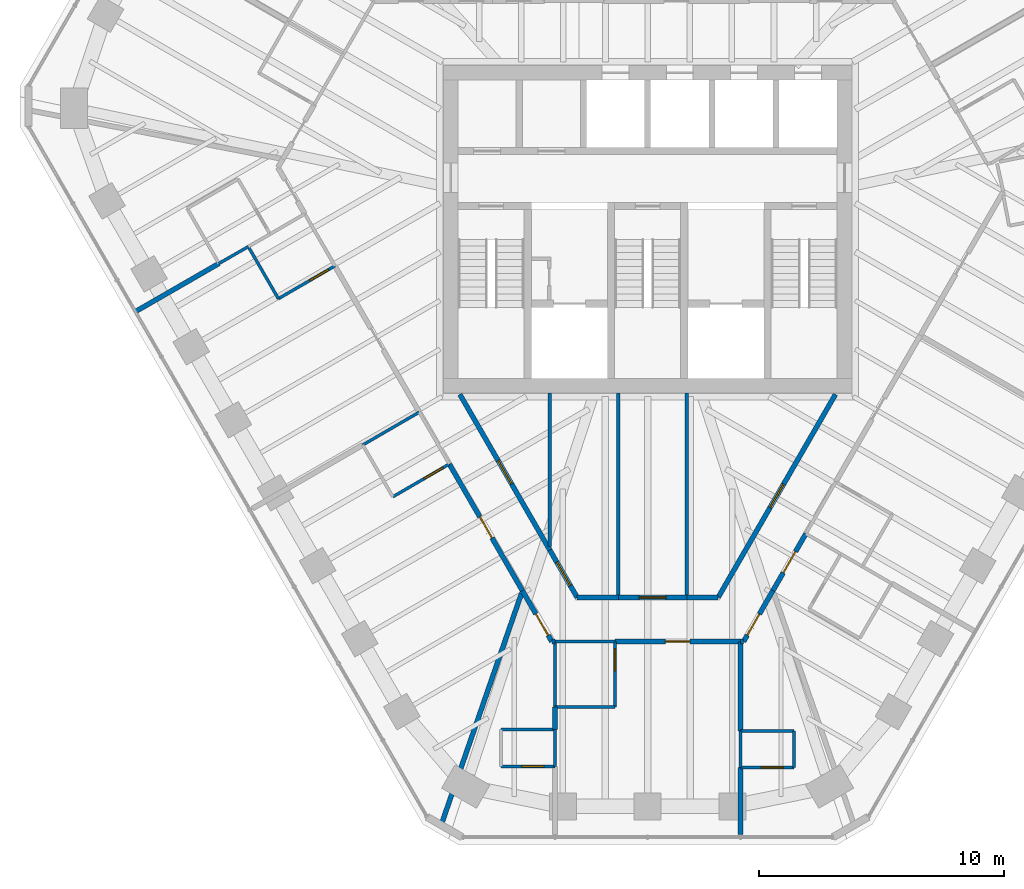
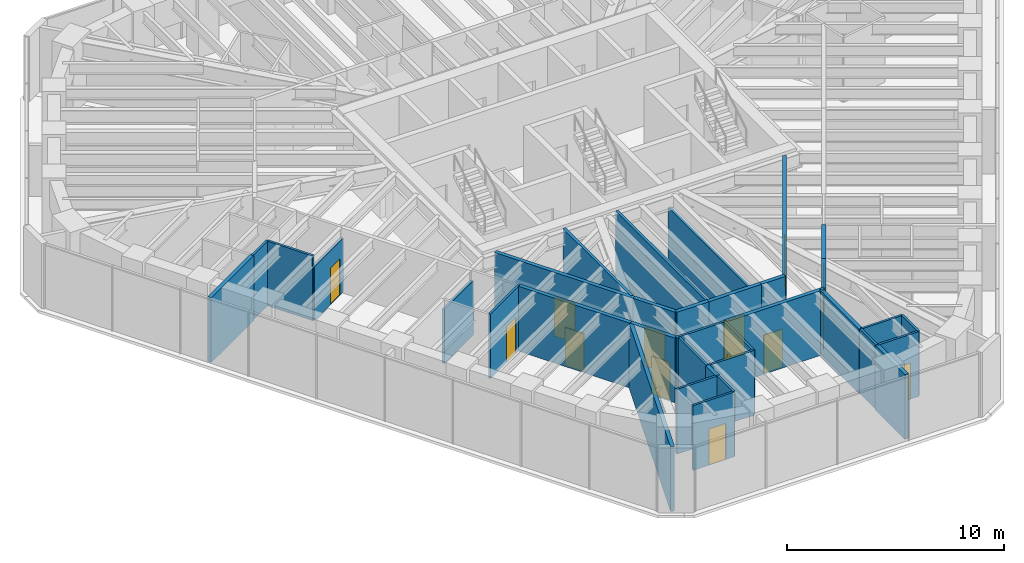
# One storey, part 9 of 14: 37 walls, 14 doors, 14 openings.
"""IFC4 building model written with IfcOpenShell, lengths in metres."""

import ifcopenshell
import ifcopenshell.guid

model = None  # the IFC model being written
_history = None  # IfcOwnerHistory: only IFC2X3 demands one
_inside = {}  # id of a spatial element -> (the spatial element, [elements in it])
_under = {}  # id of a project, library or spatial element -> (it, [spatial elements below it])
_declared = {}  # id of a project -> (the project, [libraries it declares])
_typed = {}  # id of a type object -> (the type object, [elements of that type])
_made_of = {}  # id of a material, layer set ... -> (it, [elements and type objects made of it])


def new_model(schema):
    """Start an empty IFC model of exactly this schema.

    Asked for "IFC4X3", IfcOpenShell would pick the latest addendum, in which some entities
    have other attributes; the version numbers below select the first issue.
    IFC2X3 requires an IfcOwnerHistory on every rooted entity: one is made here for all.
    """
    global model, _history
    if schema == "IFC4X3":
        model = ifcopenshell.file(schema_version=(4, 3, 0, 0))
    else:
        model = ifcopenshell.file(schema=schema)
    _inside.clear()
    _under.clear()
    _declared.clear()
    _typed.clear()
    _made_of.clear()
    _history = None
    if model.schema == "IFC2X3":
        org = make("IfcOrganization", Name="unknown")
        user = make(
            "IfcPersonAndOrganization",
            ThePerson=make("IfcPerson", FamilyName="unknown"),
            TheOrganization=org,
        )
        app = make(
            "IfcApplication",
            ApplicationDeveloper=org,
            Version="unknown",
            ApplicationFullName="unknown",
            ApplicationIdentifier="unknown",
        )
        _history = make(
            "IfcOwnerHistory",
            OwningUser=user,
            OwningApplication=app,
            ChangeAction="ADDED",
            CreationDate=0,
        )
    return model


def make(cls, **values):
    """One entity of the class cls with the attributes given. An attribute that is None is left unset."""
    return model.create_entity(
        cls, **{name: value for name, value in values.items() if value is not None}
    )


def rooted(cls, **values):
    """An entity with a GlobalId (a new one), such as an element, a storey or a relation."""
    return make(cls, GlobalId=ifcopenshell.guid.new(), OwnerHistory=_history, **values)


def si_unit(unit_type, name, prefix=None):
    """IfcSIUnit, for example si_unit("LENGTHUNIT", "METRE", prefix="MILLI")."""
    return make("IfcSIUnit", UnitType=unit_type, Prefix=prefix, Name=name)


def assignment(units):
    """IfcUnitAssignment: the units of a project."""
    return None if units is None else make("IfcUnitAssignment", Units=units)


def point(xyz):
    """IfcCartesianPoint."""
    return None if xyz is None else make("IfcCartesianPoint", Coordinates=xyz)


def direction(xyz):
    """IfcDirection."""
    return None if xyz is None else make("IfcDirection", DirectionRatios=xyz)


def frame(location, z_axis=None, x_axis=None):
    """IfcAxis2Placement3D, a coordinate frame: its origin and axes. An axis left out is left unset."""
    return make(
        "IfcAxis2Placement3D",
        Location=point(location),
        Axis=direction(z_axis),
        RefDirection=direction(x_axis),
    )


def frame_2d(location, x_axis=None):
    """IfcAxis2Placement2D, a coordinate frame in the plane: its origin and x axis."""
    return make(
        "IfcAxis2Placement2D", Location=point(location), RefDirection=direction(x_axis)
    )


def origin():
    """The frame at (0, 0, 0) with its axes left unset."""
    return frame((0.0, 0.0, 0.0))


def place(relative_to, where):
    """IfcLocalPlacement: puts the frame where relative to a parent placement (None: the world)."""
    return make(
        "IfcLocalPlacement", PlacementRelTo=relative_to, RelativePlacement=where
    )


def context(
    kind, dimensions, precision=None, world=None, true_north=None, identifier=None
):
    """IfcGeometricRepresentationContext, for example the 3D "Model" context."""
    return make(
        "IfcGeometricRepresentationContext",
        ContextIdentifier=identifier,
        ContextType=kind,
        CoordinateSpaceDimension=dimensions,
        Precision=precision,
        WorldCoordinateSystem=world,
        TrueNorth=true_north,
    )


def subcontext(parent, identifier, kind, view, scale=None):
    """IfcGeometricRepresentationSubContext, for example "Body" below "Model"."""
    return make(
        "IfcGeometricRepresentationSubContext",
        ContextIdentifier=identifier,
        ContextType=kind,
        ParentContext=parent,
        TargetScale=scale,
        TargetView=view,
    )


def project(units=None, contexts=None):
    """IfcProject with its units and contexts."""
    return rooted(
        "IfcProject",
        Name="project",
        RepresentationContexts=contexts,
        UnitsInContext=assignment(units),
    )


def spatial(cls, under=None, at=None, **own):
    """A site, building, storey or space (cls), placed at a placement, below another one or the project."""
    s = rooted(cls, ObjectPlacement=at, **own)
    if under is not None:
        _under.setdefault(under.id(), (under, []))[1].append(s)
    return s


def profile(cls, at=None, kind="AREA", **sizes):
    """A parametric profile (cls). Its sizes go by their IFC names, for example OverallWidth=200.0."""
    return make(cls, ProfileType=kind, Position=at, **sizes)


def rectangle(**sizes):
    """IfcRectangleProfileDef."""
    return profile("IfcRectangleProfileDef", **sizes)


def extrude(swept, where, along, depth):
    """IfcExtrudedAreaSolid: the profile swept, set in the frame where, extruded along a direction by depth."""
    return make(
        "IfcExtrudedAreaSolid",
        SweptArea=swept,
        Position=where,
        ExtrudedDirection=direction(along),
        Depth=depth,
    )


def shape(context_of_items, identifier, shape_type, items):
    """IfcShapeRepresentation: the items that make up one representation, for example the "Body"."""
    return make(
        "IfcShapeRepresentation",
        ContextOfItems=context_of_items,
        RepresentationIdentifier=identifier,
        RepresentationType=shape_type,
        Items=items,
    )


def material(Name=None, Category=None):
    """IfcMaterial."""
    return make("IfcMaterial", Name=Name, Category=Category)


def layer(
    of_material, thickness, ventilated=None, Name=None, Category=None, Priority=None
):
    """IfcMaterialLayer: one layer of a wall or slab, of a material (None: an air gap)."""
    return make(
        "IfcMaterialLayer",
        Material=of_material,
        LayerThickness=thickness,
        IsVentilated=ventilated,
        Name=Name,
        Category=Category,
        Priority=Priority,
    )


def layer_set(layers, Name=None):
    """IfcMaterialLayerSet."""
    return make("IfcMaterialLayerSet", MaterialLayers=layers, LayerSetName=Name)


def made_of(thing, what):
    """Note that an element or type object is made of a material, layer set ...; save() writes the relation."""
    if what is not None:
        _made_of.setdefault(what.id(), (what, []))[1].append(thing)
    return thing


def type_object(cls, material=None, **own):
    """A type object (cls), such as IfcWallType, which elements share."""
    return made_of(rooted(cls, **own), material)


def element(
    cls,
    number,
    at=None,
    inside=None,
    cuts=None,
    type_object=None,
    material=None,
    context=None,
    identifier="Body",
    shape_type=None,
    held_by="IfcProductDefinitionShape",
    body=None,
    shapes=None,
    **own,
):
    """One element of the class cls, such as IfcWall. Its Tag is "e" and its number.

    at: its placement. inside: the storey or other place that contains it. cuts: it is an
    opening in that element (IfcRelVoidsElement). A single representation is given by context,
    identifier, shape_type and body (its items); several are given by shapes. held_by: the class
    of the entity that holds the representations. save() writes the other relations.
    """
    e = rooted(cls, Tag="e%d" % number, ObjectPlacement=at, **own)
    if body is not None:
        shapes = [shape(context, identifier, shape_type, body)]
    if shapes is not None:
        e.Representation = make(held_by, Representations=shapes)
    if inside is not None:
        _inside.setdefault(inside.id(), (inside, []))[1].append(e)
    if cuts is not None:
        rooted(
            "IfcRelVoidsElement", RelatingBuildingElement=cuts, RelatedOpeningElement=e
        )
    if type_object is not None:
        _typed.setdefault(type_object.id(), (type_object, []))[1].append(e)
    return made_of(e, material)


def fill(opening, filler):
    """IfcRelFillsElement: the door or window that sits in an opening."""
    return rooted(
        "IfcRelFillsElement",
        RelatingOpeningElement=opening,
        RelatedBuildingElement=filler,
    )


def aggregate(whole, parts):
    """IfcRelAggregates: a whole, such as a stair, and the parts it consists of."""
    return rooted("IfcRelAggregates", RelatingObject=whole, RelatedObjects=parts)


def save(model, path):
    """Write the relations noted so far, then the file.

    IfcRelAggregates (storeys below a building ...), IfcRelContainedInSpatialStructure (elements
    in a storey), IfcRelDefinesByType, IfcRelAssociatesMaterial and IfcRelDeclares: one each for
    every whole, place, type object, material and project.
    """
    for whole, parts in _under.values():
        aggregate(whole, parts)
    for where, things in _inside.values():
        rooted(
            "IfcRelContainedInSpatialStructure",
            RelatedElements=things,
            RelatingStructure=where,
        )
    for kind, things in _typed.values():
        rooted("IfcRelDefinesByType", RelatedObjects=things, RelatingType=kind)
    for what, things in _made_of.values():
        rooted("IfcRelAssociatesMaterial", RelatedObjects=things, RelatingMaterial=what)
    for by, libraries in _declared.values():
        rooted("IfcRelDeclares", RelatingContext=by, RelatedDefinitions=libraries)
    model.write(path)


model = new_model("IFC4")

# Units and contexts
model_context = context("Model", 3, precision=1e-05, world=origin(), true_north=direction((0.0, 1.0)))
body_context = subcontext(model_context, "Body", "Model", "MODEL_VIEW")
ifc_project = project(units=[si_unit("LENGTHUNIT", "METRE"), si_unit("AREAUNIT", "SQUARE_METRE"), si_unit("VOLUMEUNIT", "CUBIC_METRE"), si_unit("PLANEANGLEUNIT", "RADIAN"), si_unit("MASSUNIT", "GRAM", prefix="KILO")], contexts=[model_context])

# Site, building, storey
site_placement = place(None, origin())
site = spatial("IfcSite", under=ifc_project, at=site_placement, CompositionType="ELEMENT")
building_placement = place(site_placement, origin())
building = spatial("IfcBuilding", under=site, at=building_placement, Name="Sandreach Pilgrim Tower", CompositionType="ELEMENT")
storey_placement = place(building_placement, frame((0.0, 0.0, 264.60009765625)))
storey = spatial("IfcBuildingStorey", under=building, at=storey_placement, Name="L66", CompositionType="ELEMENT", Elevation=264.60009765625)

# Walls
ifc_material_1 = material(Name="Gypsum board on steel studs", Category="steel")
ifc_layer_1 = layer(ifc_material_1, 0.14990234375)
ifc_layer_set_1 = layer_set([ifc_layer_1], Name="Back of house wall 150")
wall_type_1 = type_object("IfcWallType", Name="Back of house wall 150", PredefinedType="PARTITIONING", material=ifc_layer_set_1)
wall_1_placement = place(storey_placement, frame((-4.0, -6.699951171875, 0.0), z_axis=(0.0, 0.0, 1.0), x_axis=(0.0, -1.0, 0.0)))
element("IfcWall", 1, at=wall_1_placement, inside=storey, type_object=wall_type_1, Name="Back of house wall L66-049", PredefinedType="PARTITIONING", context=body_context, shape_type="SweptSolid", body=[
    extrude(rectangle(XDim=6.26513671875, YDim=0.14990234375, at=frame_2d((3.132568359375, 0.0))), origin(), (0.0, 0.0, 1.0), 3.639892578125),
])
wall_2_placement = place(storey_placement, frame((-1.199951171875, -6.699951171875, 0.0), z_axis=(0.0, 0.0, 1.0), x_axis=(0.0, -1.0, 0.0)))
element("IfcWall", 2, at=wall_2_placement, inside=storey, type_object=wall_type_1, Name="Back of house wall L66-065", PredefinedType="PARTITIONING", context=body_context, shape_type="SweptSolid", body=[
    extrude(rectangle(XDim=8.360107421875, YDim=0.14990234375, at=frame_2d((4.18017578125, 0.0))), origin(), (0.0, 0.0, 1.0), 3.639892578125),
])
wall_3_placement = place(storey_placement, frame((1.60009765625, -6.699951171875, 0.0), z_axis=(0.0, 0.0, 1.0), x_axis=(0.0, -1.0, 0.0)))
element("IfcWall", 3, at=wall_3_placement, inside=storey, type_object=wall_type_1, Name="Back of house wall L66-067", PredefinedType="PARTITIONING", context=body_context, shape_type="SweptSolid", body=[
    extrude(rectangle(XDim=8.360107421875, YDim=0.14990234375, at=frame_2d((4.18017578125, 0.0))), origin(), (0.0, 0.0, 1.0), 2.860107421875),
])
ifc_material_2 = material(Name="Moisture-resistant gypsum board on steel studs", Category="steel")
ifc_layer_2 = layer(ifc_material_2, 0.1201171875)
ifc_layer_set_2 = layer_set([ifc_layer_2], Name="Bathroom partition 120")
wall_type_2 = type_object("IfcWallType", Name="Bathroom partition 120", PredefinedType="PARTITIONING", material=ifc_layer_set_2)
wall_4_placement = place(storey_placement, frame((-17.530517578125, -1.39892578125, 0.0), z_axis=(0.0, 0.0, 1.0), x_axis=(0.867308096735, 0.497771700017, 0.0)))
element("IfcWall", 4, at=wall_4_placement, inside=storey, type_object=wall_type_2, Name="Bathroom partition L66-005", PredefinedType="PARTITIONING", context=body_context, shape_type="SweptSolid", body=[
    extrude(rectangle(XDim=1.384033203125, YDim=0.1201171875, at=frame_2d((0.69189453125, 0.0))), origin(), (0.0, 0.0, 1.0), 3.639892578125),
])
wall_5_placement = place(storey_placement, frame((-16.330078125, -0.7099609375, 0.0), z_axis=(0.0, 0.0, 1.0), x_axis=(0.500046071023, -0.865998803033, 0.0)))
element("IfcWall", 5, at=wall_5_placement, inside=storey, type_object=wall_type_2, Name="Bathroom partition L66-009", PredefinedType="PARTITIONING", context=body_context, shape_type="SweptSolid", body=[
    extrude(rectangle(XDim=2.459716796875, YDim=0.1201171875, at=frame_2d((1.22998046875, 0.0))), origin(), (0.0, 0.0, 1.0), 3.639892578125),
])

# Wall, opening, door
wall_6_placement = place(storey_placement, frame((-15.10009765625, -2.840087890625, 0.0), z_axis=(0.0, 0.0, 1.0), x_axis=(0.86498992408, 0.501789229896, 0.0)))
wall_6 = element("IfcWall", 6, at=wall_6_placement, inside=storey, type_object=wall_type_2, Name="Bathroom partition L66-016", PredefinedType="PARTITIONING", context=body_context, shape_type="SweptSolid", body=[
    extrude(rectangle(XDim=2.670654296875, YDim=0.1201171875, at=frame_2d((1.33544921875, 0.0))), origin(), (0.0, 0.0, 1.0), 3.022705078125),
])
opening_1_placement = place(wall_6_placement, frame((1.470458984375, 0.0, 0.0)))
opening_1 = element("IfcOpeningElement", 7, at=opening_1_placement, cuts=wall_6, Name="Opening D09-14B", PredefinedType="OPENING", context=body_context, shape_type="SweptSolid", body=[
    extrude(rectangle(XDim=0.89990234375, YDim=2.030029296875, at=frame_2d((0.449951171875, 1.01513671875))), frame((0.0, 0.06005859375, 0.0), z_axis=(0.0, -1.0, 0.0), x_axis=(1.0, 0.0, 0.0)), (0.0, 0.0, 1.0), 0.1201171875),
])
ifc_material_3 = material(Name="Timber door, steel frame", Category="steel")
door_type_1 = type_object("IfcDoorType", Name="Bathroom door", OperationType="SINGLE_SWING_LEFT", PredefinedType="DOOR", material=ifc_material_3)
door_1_placement = place(opening_1_placement, origin())
door_1 = element("IfcDoor", 8, at=door_1_placement, inside=storey, type_object=door_type_1, Name="Door 6614B", OperationType="SINGLE_SWING_RIGHT", OverallHeight=2.030029296875, OverallWidth=0.89990234375, PredefinedType="DOOR", context=body_context, shape_type="SweptSolid", body=[
    extrude(rectangle(XDim=0.89990234375, YDim=2.030029296875, at=frame_2d((0.449951171875, 1.01513671875))), frame((0.0, 0.02490234375, 0.0), z_axis=(0.0, -1.0, 0.0), x_axis=(1.0, 0.0, 0.0)), (0.0, 0.0, 1.0), 0.050048828125),
])
fill(opening_1, door_1)

# Wall
wall_7_placement = place(storey_placement, frame((-11.64990234375, -8.820068359375, 0.0), z_axis=(0.0, 0.0, 1.0), x_axis=(0.864966903181, 0.501828911485, 0.0)))
element("IfcWall", 9, at=wall_7_placement, inside=storey, type_object=wall_type_2, Name="Bathroom partition L66-026", PredefinedType="PARTITIONING", context=body_context, shape_type="SweptSolid", body=[
    extrude(rectangle(XDim=2.67041015625, YDim=0.1201171875, at=frame_2d((1.335205078125, 0.0))), origin(), (0.0, 0.0, 1.0), 3.037841796875),
])

# Wall, opening, door
wall_8_placement = place(storey_placement, frame((-10.419921875, -10.93994140625, 0.0), z_axis=(0.0, 0.0, 1.0), x_axis=(0.865006586495, 0.501760505939, 0.0)))
wall_8 = element("IfcWall", 10, at=wall_8_placement, inside=storey, type_object=wall_type_2, Name="Bathroom partition L66-030", PredefinedType="PARTITIONING", context=body_context, shape_type="SweptSolid", body=[
    extrude(rectangle(XDim=2.670166015625, YDim=0.1201171875, at=frame_2d((1.3349609375, 0.0))), origin(), (0.0, 0.0, 1.0), 3.639892578125),
])
opening_2_placement = place(wall_8_placement, frame((1.470458984375, 0.0, 0.0)))
opening_2 = element("IfcOpeningElement", 11, at=opening_2_placement, cuts=wall_8, Name="Opening D09-13B", PredefinedType="OPENING", context=body_context, shape_type="SweptSolid", body=[
    extrude(rectangle(XDim=0.89990234375, YDim=2.030029296875, at=frame_2d((0.449951171875, 1.01513671875))), frame((0.0, 0.06005859375, 0.0), z_axis=(0.0, -1.0, 0.0), x_axis=(1.0, 0.0, 0.0)), (0.0, 0.0, 1.0), 0.1201171875),
])
door_2_placement = place(opening_2_placement, origin())
door_2 = element("IfcDoor", 12, at=door_2_placement, inside=storey, type_object=door_type_1, Name="Door 6613B", OperationType="SINGLE_SWING_RIGHT", OverallHeight=2.030029296875, OverallWidth=0.89990234375, PredefinedType="DOOR", context=body_context, shape_type="SweptSolid", body=[
    extrude(rectangle(XDim=0.89990234375, YDim=2.030029296875, at=frame_2d((0.449951171875, 1.01513671875))), frame((0.0, 0.02490234375, 0.0), z_axis=(0.0, -1.0, 0.0), x_axis=(1.0, 0.0, 0.0)), (0.0, 0.0, 1.0), 0.050048828125),
])
fill(opening_2, door_2)

wall_9_placement = place(storey_placement, frame((-5.989990234375, -21.9599609375, 0.0), z_axis=(0.0, 0.0, 1.0), x_axis=(1.0, 0.0, 0.0)))
wall_9 = element("IfcWall", 13, at=wall_9_placement, inside=storey, type_object=wall_type_2, Name="Bathroom partition L66-042", PredefinedType="PARTITIONING", context=body_context, shape_type="SweptSolid", body=[
    extrude(rectangle(XDim=2.199951171875, YDim=0.1201171875, at=frame_2d((1.10009765625, 0.0))), origin(), (0.0, 0.0, 1.0), 3.639892578125),
])
opening_3_placement = place(wall_9_placement, frame((0.85009765625, 0.0, 0.0)))
opening_3 = element("IfcOpeningElement", 14, at=opening_3_placement, cuts=wall_9, Name="Opening D09-12B", PredefinedType="OPENING", context=body_context, shape_type="SweptSolid", body=[
    extrude(rectangle(XDim=0.89990234375, YDim=2.030029296875, at=frame_2d((0.449951171875, 1.01513671875))), frame((0.0, 0.06005859375, 0.0), z_axis=(0.0, -1.0, 0.0), x_axis=(1.0, 0.0, 0.0)), (0.0, 0.0, 1.0), 0.1201171875),
])
door_3_placement = place(opening_3_placement, origin())
door_3 = element("IfcDoor", 15, at=door_3_placement, inside=storey, type_object=door_type_1, Name="Door 6612B", OperationType="SINGLE_SWING_RIGHT", OverallHeight=2.030029296875, OverallWidth=0.89990234375, PredefinedType="DOOR", context=body_context, shape_type="SweptSolid", body=[
    extrude(rectangle(XDim=0.89990234375, YDim=2.030029296875, at=frame_2d((0.449951171875, 1.01513671875))), frame((0.0, 0.02490234375, 0.0), z_axis=(0.0, -1.0, 0.0), x_axis=(1.0, 0.0, 0.0)), (0.0, 0.0, 1.0), 0.050048828125),
])
fill(opening_3, door_3)

# Walls
wall_10_placement = place(storey_placement, frame((-3.7900390625, -21.9599609375, 0.0), z_axis=(0.0, 0.0, 1.0), x_axis=(0.0, 1.0, 0.0)))
element("IfcWall", 16, at=wall_10_placement, inside=storey, type_object=wall_type_2, Name="Bathroom partition L66-052", PredefinedType="PARTITIONING", context=body_context, shape_type="SweptSolid", body=[
    extrude(rectangle(XDim=1.5, YDim=0.1201171875, at=frame_2d((0.75, 0.0))), origin(), (0.0, 0.0, 1.0), 3.639892578125),
])
wall_11_placement = place(storey_placement, frame((-3.7900390625, -20.4599609375, 0.0), z_axis=(0.0, 0.0, 1.0), x_axis=(-1.0, 0.0, 0.0)))
element("IfcWall", 17, at=wall_11_placement, inside=storey, type_object=wall_type_2, Name="Bathroom partition L66-053", PredefinedType="PARTITIONING", context=body_context, shape_type="SweptSolid", body=[
    extrude(rectangle(XDim=2.199951171875, YDim=0.1201171875, at=frame_2d((1.10009765625, 0.0))), origin(), (0.0, 0.0, 1.0), 3.639892578125),
])
wall_12_placement = place(storey_placement, frame((-3.7900390625, -19.530029296875, 0.0), z_axis=(0.0, 0.0, 1.0), x_axis=(0.0, 1.0, 0.0)))
element("IfcWall", 18, at=wall_12_placement, inside=storey, type_object=wall_type_2, Name="Bathroom partition L66-055", PredefinedType="PARTITIONING", context=body_context, shape_type="SweptSolid", body=[
    extrude(rectangle(XDim=2.669921875, YDim=0.1201171875, at=frame_2d((1.3349609375, 0.0))), origin(), (0.0, 0.0, 1.0), 3.639892578125),
])
for number, where, z_axis, x_axis, name in (
    (19, (-3.7900390625, -19.530029296875, 0.0), (0.0, 0.0, 1.0), (1.0, 0.0, 0.0), "Bathroom partition L66-056"),
    (20, (-3.7900390625, -16.860107421875, 0.0), (0.0, 0.0, 1.0), (1.0, 0.0, 0.0), "Bathroom partition L66-057"),
):
    element("IfcWall", number, at=place(storey_placement, frame(where, z_axis=z_axis, x_axis=x_axis)), inside=storey, type_object=wall_type_2, Name=name, PredefinedType="PARTITIONING", context=body_context, shape_type="SweptSolid", body=[
        extrude(rectangle(XDim=2.449951171875, YDim=0.1201171875, at=frame_2d((1.22509765625, 0.0))), origin(), (0.0, 0.0, 1.0), 3.639892578125),
    ])

# Wall, opening, door
wall_13_placement = place(storey_placement, frame((-1.340087890625, -19.530029296875, 0.0), z_axis=(0.0, 0.0, 1.0), x_axis=(0.0, 1.0, 0.0)))
wall_13 = element("IfcWall", 21, at=wall_13_placement, inside=storey, type_object=wall_type_2, Name="Bathroom partition L66-062", PredefinedType="PARTITIONING", context=body_context, shape_type="SweptSolid", body=[
    extrude(rectangle(XDim=2.669921875, YDim=0.1201171875, at=frame_2d((1.3349609375, 0.0))), origin(), (0.0, 0.0, 1.0), 3.639892578125),
])
opening_4_placement = place(wall_13_placement, frame((1.469970703125, 0.0, 0.0)))
opening_4 = element("IfcOpeningElement", 22, at=opening_4_placement, cuts=wall_13, Name="Opening D09-11B", PredefinedType="OPENING", context=body_context, shape_type="SweptSolid", body=[
    extrude(rectangle(XDim=0.89990234375, YDim=2.030029296875, at=frame_2d((0.449951171875, 1.01513671875))), frame((0.0, 0.06005859375, 0.0), z_axis=(0.0, -1.0, 0.0), x_axis=(1.0, 0.0, 0.0)), (0.0, 0.0, 1.0), 0.1201171875),
])
door_4_placement = place(opening_4_placement, origin())
door_4 = element("IfcDoor", 23, at=door_4_placement, inside=storey, type_object=door_type_1, Name="Door 6611B", OperationType="SINGLE_SWING_RIGHT", OverallHeight=2.030029296875, OverallWidth=0.89990234375, PredefinedType="DOOR", context=body_context, shape_type="SweptSolid", body=[
    extrude(rectangle(XDim=0.89990234375, YDim=2.030029296875, at=frame_2d((0.449951171875, 1.01513671875))), frame((0.0, 0.02490234375, 0.0), z_axis=(0.0, -1.0, 0.0), x_axis=(1.0, 0.0, 0.0)), (0.0, 0.0, 1.0), 0.050048828125),
])
fill(opening_4, door_4)

# Wall
wall_14_placement = place(storey_placement, frame((3.7900390625, -22.010009765625, 0.0), z_axis=(0.0, 0.0, 1.0), x_axis=(0.0, 1.0, 0.0)))
element("IfcWall", 24, at=wall_14_placement, inside=storey, type_object=wall_type_2, Name="Bathroom partition L66-070", PredefinedType="PARTITIONING", context=body_context, shape_type="SweptSolid", body=[
    extrude(rectangle(XDim=1.5, YDim=0.1201171875, at=frame_2d((0.75, 0.0))), origin(), (0.0, 0.0, 1.0), 3.639892578125),
])

# Wall, opening, door
wall_15_placement = place(storey_placement, frame((3.7900390625, -22.010009765625, 0.0), z_axis=(0.0, 0.0, 1.0), x_axis=(1.0, 0.0, 0.0)))
wall_15 = element("IfcWall", 25, at=wall_15_placement, inside=storey, type_object=wall_type_2, Name="Bathroom partition L66-071", PredefinedType="PARTITIONING", context=body_context, shape_type="SweptSolid", body=[
    extrude(rectangle(XDim=2.199951171875, YDim=0.1201171875, at=frame_2d((1.10009765625, 0.0))), origin(), (0.0, 0.0, 1.0), 3.639892578125),
])
opening_5_placement = place(wall_15_placement, frame((0.85009765625, 0.0, 0.0)))
opening_5 = element("IfcOpeningElement", 26, at=opening_5_placement, cuts=wall_15, Name="Opening D09-10B", PredefinedType="OPENING", context=body_context, shape_type="SweptSolid", body=[
    extrude(rectangle(XDim=0.89990234375, YDim=2.030029296875, at=frame_2d((0.449951171875, 1.01513671875))), frame((0.0, 0.06005859375, 0.0), z_axis=(0.0, -1.0, 0.0), x_axis=(1.0, 0.0, 0.0)), (0.0, 0.0, 1.0), 0.1201171875),
])
door_5_placement = place(opening_5_placement, origin())
door_5 = element("IfcDoor", 27, at=door_5_placement, inside=storey, type_object=door_type_1, Name="Door 6610B", OperationType="SINGLE_SWING_RIGHT", OverallHeight=2.030029296875, OverallWidth=0.89990234375, PredefinedType="DOOR", context=body_context, shape_type="SweptSolid", body=[
    extrude(rectangle(XDim=0.89990234375, YDim=2.030029296875, at=frame_2d((0.449951171875, 1.01513671875))), frame((0.0, 0.02490234375, 0.0), z_axis=(0.0, -1.0, 0.0), x_axis=(1.0, 0.0, 0.0)), (0.0, 0.0, 1.0), 0.050048828125),
])
fill(opening_5, door_5)

# Walls
wall_16_placement = place(storey_placement, frame((5.989990234375, -22.010009765625, 0.0), z_axis=(0.0, 0.0, 1.0), x_axis=(0.0, 1.0, 0.0)))
element("IfcWall", 28, at=wall_16_placement, inside=storey, type_object=wall_type_2, Name="Bathroom partition L66-078", PredefinedType="PARTITIONING", context=body_context, shape_type="SweptSolid", body=[
    extrude(rectangle(XDim=1.5, YDim=0.1201171875, at=frame_2d((0.75, 0.0))), origin(), (0.0, 0.0, 1.0), 3.639892578125),
])
wall_17_placement = place(storey_placement, frame((5.989990234375, -20.510009765625, 0.0), z_axis=(0.0, 0.0, 1.0), x_axis=(-1.0, 0.0, 0.0)))
element("IfcWall", 29, at=wall_17_placement, inside=storey, type_object=wall_type_2, Name="Bathroom partition L66-079", PredefinedType="PARTITIONING", context=body_context, shape_type="SweptSolid", body=[
    extrude(rectangle(XDim=2.199951171875, YDim=0.1201171875, at=frame_2d((1.10009765625, 0.0))), origin(), (0.0, 0.0, 1.0), 3.639892578125),
])

# Wall, opening, door
ifc_material_4 = material(Name="Gypsum board on steel studs, two layers each side", Category="steel")
ifc_layer_3 = layer(ifc_material_4, 0.199951171875)
ifc_layer_set_3 = layer_set([ifc_layer_3], Name="Corridor wall 200")
wall_type_3 = type_object("IfcWallType", Name="Corridor wall 200", PredefinedType="PARTITIONING", material=ifc_layer_set_3)
wall_18_placement = place(storey_placement, frame((-8.110107421875, -9.60009765625, 0.0), z_axis=(0.0, 0.0, 1.0), x_axis=(0.49991915452, -0.866072074913, 0.0)))
wall_18 = element("IfcWall", 30, at=wall_18_placement, inside=storey, type_object=wall_type_3, Name="Corridor wall L66-037", PredefinedType="PARTITIONING", context=body_context, shape_type="SweptSolid", body=[
    extrude(rectangle(XDim=5.98095703125, YDim=0.199951171875, at=frame_2d((2.990478515625, 0.0))), origin(), (0.0, 0.0, 1.0), 3.639892578125),
])
opening_6_placement = place(wall_18_placement, frame((2.490478515625, 0.0, 0.0)))
opening_6 = element("IfcOpeningElement", 31, at=opening_6_placement, cuts=wall_18, Name="Opening D10-13", PredefinedType="OPENING", context=body_context, shape_type="SweptSolid", body=[
    extrude(rectangle(XDim=1.0, YDim=2.1298828125, at=frame_2d((0.5, 1.06494140625))), frame((0.0, 0.10009765625, 0.0), z_axis=(0.0, -1.0, 0.0), x_axis=(1.0, 0.0, 0.0)), (0.0, 0.0, 1.0), 0.199951171875),
])
ifc_material_5 = material(Name="Steel door and frame", Category="steel")
door_type_2 = type_object("IfcDoorType", Name="Guest room entry door", OperationType="SINGLE_SWING_LEFT", PredefinedType="DOOR", material=ifc_material_5)
door_6_placement = place(opening_6_placement, origin())
door_6 = element("IfcDoor", 32, at=door_6_placement, inside=storey, type_object=door_type_2, Name="Door 6613", OperationType="SINGLE_SWING_LEFT", OverallHeight=2.1298828125, OverallWidth=1.0, PredefinedType="DOOR", context=body_context, shape_type="SweptSolid", body=[
    extrude(rectangle(XDim=1.0, YDim=2.1298828125, at=frame_2d((0.5, 1.06494140625))), frame((0.0, 0.02490234375, 0.0), z_axis=(0.0, -1.0, 0.0), x_axis=(1.0, 0.0, 0.0)), (0.0, 0.0, 1.0), 0.050048828125),
])
fill(opening_6, door_6)

wall_19_placement = place(storey_placement, frame((-5.1201171875, -14.780029296875, 0.0), z_axis=(0.0, 0.0, 1.0), x_axis=(0.499813401482, -0.866133109688, 0.0)))
wall_19 = element("IfcWall", 33, at=wall_19_placement, inside=storey, type_object=wall_type_3, Name="Corridor wall L66-044", PredefinedType="PARTITIONING", context=body_context, shape_type="SweptSolid", body=[
    extrude(rectangle(XDim=2.4013671875, YDim=0.199951171875, at=frame_2d((1.20068359375, 0.0))), origin(), (0.0, 0.0, 1.0), 3.639892578125),
])
opening_7_placement = place(wall_19_placement, frame((1.10009765625, 0.0, 0.0)))
opening_7 = element("IfcOpeningElement", 34, at=opening_7_placement, cuts=wall_19, Name="Opening D10-12", PredefinedType="OPENING", context=body_context, shape_type="SweptSolid", body=[
    extrude(rectangle(XDim=1.0, YDim=2.1298828125, at=frame_2d((0.5, 1.06494140625))), frame((0.0, 0.10009765625, 0.0), z_axis=(0.0, -1.0, 0.0), x_axis=(1.0, 0.0, 0.0)), (0.0, 0.0, 1.0), 0.199951171875),
])
door_7_placement = place(opening_7_placement, origin())
door_7 = element("IfcDoor", 35, at=door_7_placement, inside=storey, type_object=door_type_2, Name="Door 6612", OperationType="SINGLE_SWING_RIGHT", OverallHeight=2.1298828125, OverallWidth=1.0, PredefinedType="DOOR", context=body_context, shape_type="SweptSolid", body=[
    extrude(rectangle(XDim=1.0, YDim=2.1298828125, at=frame_2d((0.5, 1.06494140625))), frame((0.0, 0.02490234375, 0.0), z_axis=(0.0, -1.0, 0.0), x_axis=(1.0, 0.0, 0.0)), (0.0, 0.0, 1.0), 0.050048828125),
])
fill(opening_7, door_7)

wall_20_placement = place(storey_placement, frame((-4.0, -13.1201171875, 0.0), z_axis=(0.0, 0.0, 1.0), x_axis=(-0.500218436225, 0.865899252835, 0.0)))
wall_20 = element("IfcWall", 36, at=wall_20_placement, inside=storey, type_object=wall_type_3, Name="Corridor wall L66-048", PredefinedType="PARTITIONING", context=body_context, shape_type="SweptSolid", body=[
    extrude(rectangle(XDim=7.356689453125, YDim=0.199951171875, at=frame_2d((3.67822265625, 0.0))), origin(), (0.0, 0.0, 1.0), 3.639892578125),
])
opening_8_placement = place(wall_20_placement, frame((3.12841796875, 0.0, 0.0)))
opening_8 = element("IfcOpeningElement", 37, at=opening_8_placement, cuts=wall_20, Name="Opening D11H-S1", PredefinedType="OPENING", context=body_context, shape_type="SweptSolid", body=[
    extrude(rectangle(XDim=1.10009765625, YDim=2.199951171875, at=frame_2d((0.550048828125, 1.10009765625))), frame((0.0, 0.10009765625, 0.0), z_axis=(0.0, -1.0, 0.0), x_axis=(1.0, 0.0, 0.0)), (0.0, 0.0, 1.0), 0.199951171875),
])
ifc_material_6 = material(Name="Steel door and frame", Category="steel")
door_type_3 = type_object("IfcDoorType", Name="Back of house door", OperationType="SINGLE_SWING_LEFT", PredefinedType="DOOR", material=ifc_material_6)
door_8_placement = place(opening_8_placement, origin())
door_8 = element("IfcDoor", 38, at=door_8_placement, inside=storey, type_object=door_type_3, Name="Door 66S1", OperationType="SINGLE_SWING_LEFT", OverallHeight=2.199951171875, OverallWidth=1.10009765625, PredefinedType="DOOR", context=body_context, shape_type="SweptSolid", body=[
    extrude(rectangle(XDim=1.10009765625, YDim=2.199951171875, at=frame_2d((0.550048828125, 1.10009765625))), frame((0.0, 0.02490234375, 0.0), z_axis=(0.0, -1.0, 0.0), x_axis=(1.0, 0.0, 0.0)), (0.0, 0.0, 1.0), 0.050048828125),
])
fill(opening_8, door_8)

# Wall
wall_21_placement = place(storey_placement, frame((-3.919921875, -16.860107421875, 0.0), z_axis=(0.0, 0.0, 1.0), x_axis=(1.0, 0.0, 0.0)))
element("IfcWall", 39, at=wall_21_placement, inside=storey, type_object=wall_type_3, Name="Corridor wall L66-050", PredefinedType="PARTITIONING", context=body_context, shape_type="SweptSolid", body=[
    extrude(rectangle(XDim=0.1298828125, YDim=0.199951171875, at=frame_2d((0.06494140625, 0.0))), origin(), (0.0, 0.0, 1.0), 3.639892578125),
])

# Wall, opening, door
wall_22_placement = place(storey_placement, frame((-2.8798828125, -15.06005859375, 0.0), z_axis=(0.0, 0.0, 1.0), x_axis=(-0.499983441833, 0.866034963436, 0.0)))
wall_22 = element("IfcWall", 40, at=wall_22_placement, inside=storey, type_object=wall_type_3, Name="Corridor wall L66-058", PredefinedType="PARTITIONING", context=body_context, shape_type="SweptSolid", body=[
    extrude(rectangle(XDim=2.240234375, YDim=0.199951171875, at=frame_2d((1.1201171875, 0.0))), origin(), (0.0, 0.0, 1.0), 3.639892578125),
])
opening_9_placement = place(wall_22_placement, frame((0.570068359375, 0.0, 0.0)))
opening_9 = element("IfcOpeningElement", 41, at=opening_9_placement, cuts=wall_22, Name="Opening D11H-S2", PredefinedType="OPENING", context=body_context, shape_type="SweptSolid", body=[
    extrude(rectangle(XDim=1.10009765625, YDim=2.199951171875, at=frame_2d((0.550048828125, 1.10009765625))), frame((0.0, 0.10009765625, 0.0), z_axis=(0.0, -1.0, 0.0), x_axis=(1.0, 0.0, 0.0)), (0.0, 0.0, 1.0), 0.199951171875),
])
door_9_placement = place(opening_9_placement, origin())
door_9 = element("IfcDoor", 42, at=door_9_placement, inside=storey, type_object=door_type_3, Name="Door 66S2", OperationType="SINGLE_SWING_LEFT", OverallHeight=2.199951171875, OverallWidth=1.10009765625, PredefinedType="DOOR", context=body_context, shape_type="SweptSolid", body=[
    extrude(rectangle(XDim=1.10009765625, YDim=2.199951171875, at=frame_2d((0.550048828125, 1.10009765625))), frame((0.0, 0.02490234375, 0.0), z_axis=(0.0, -1.0, 0.0), x_axis=(1.0, 0.0, 0.0)), (0.0, 0.0, 1.0), 0.050048828125),
])
fill(opening_9, door_9)

wall_23_placement = place(storey_placement, frame((-1.340087890625, -16.860107421875, 0.0), z_axis=(0.0, 0.0, 1.0), x_axis=(1.0, 0.0, 0.0)))
wall_23 = element("IfcWall", 43, at=wall_23_placement, inside=storey, type_object=wall_type_3, Name="Corridor wall L66-063", PredefinedType="PARTITIONING", context=body_context, shape_type="SweptSolid", body=[
    extrude(rectangle(XDim=5.130126953125, YDim=0.199951171875, at=frame_2d((2.56494140625, 0.0))), origin(), (0.0, 0.0, 1.0), 3.639892578125),
])
opening_10_placement = place(wall_23_placement, frame((2.06494140625, 0.0, 0.0)))
opening_10 = element("IfcOpeningElement", 44, at=opening_10_placement, cuts=wall_23, Name="Opening D10-11", PredefinedType="OPENING", context=body_context, shape_type="SweptSolid", body=[
    extrude(rectangle(XDim=1.0, YDim=2.1298828125, at=frame_2d((0.5, 1.06494140625))), frame((0.0, 0.10009765625, 0.0), z_axis=(0.0, -1.0, 0.0), x_axis=(1.0, 0.0, 0.0)), (0.0, 0.0, 1.0), 0.199951171875),
])
door_10_placement = place(opening_10_placement, origin())
door_10 = element("IfcDoor", 45, at=door_10_placement, inside=storey, type_object=door_type_2, Name="Door 6611", OperationType="SINGLE_SWING_LEFT", OverallHeight=2.1298828125, OverallWidth=1.0, PredefinedType="DOOR", context=body_context, shape_type="SweptSolid", body=[
    extrude(rectangle(XDim=1.0, YDim=2.1298828125, at=frame_2d((0.5, 1.06494140625))), frame((0.0, 0.02490234375, 0.0), z_axis=(0.0, -1.0, 0.0), x_axis=(1.0, 0.0, 0.0)), (0.0, 0.0, 1.0), 0.050048828125),
])
fill(opening_10, door_10)

# Wall
wall_24_placement = place(storey_placement, frame((-1.199951171875, -15.06005859375, 0.0), z_axis=(0.0, 0.0, 1.0), x_axis=(-1.0, 0.0, 0.0)))
element("IfcWall", 46, at=wall_24_placement, inside=storey, type_object=wall_type_3, Name="Corridor wall L66-064", PredefinedType="PARTITIONING", context=body_context, shape_type="SweptSolid", body=[
    extrude(rectangle(XDim=1.679931640625, YDim=0.199951171875, at=frame_2d((0.83984375, 0.0))), origin(), (0.0, 0.0, 1.0), 3.639892578125),
])

# Wall, opening, door
wall_25_placement = place(storey_placement, frame((1.60009765625, -15.06005859375, 0.0), z_axis=(0.0, 0.0, 1.0), x_axis=(-1.0, 0.0, 0.0)))
wall_25 = element("IfcWall", 47, at=wall_25_placement, inside=storey, type_object=wall_type_3, Name="Corridor wall L66-066", PredefinedType="PARTITIONING", context=body_context, shape_type="SweptSolid", body=[
    extrude(rectangle(XDim=2.800048828125, YDim=0.199951171875, at=frame_2d((1.39990234375, 0.0))), origin(), (0.0, 0.0, 1.0), 3.639892578125),
])
opening_11_placement = place(wall_25_placement, frame((0.85009765625, 0.0, 0.0)))
opening_11 = element("IfcOpeningElement", 48, at=opening_11_placement, cuts=wall_25, Name="Opening D11H-S3", PredefinedType="OPENING", context=body_context, shape_type="SweptSolid", body=[
    extrude(rectangle(XDim=1.10009765625, YDim=2.199951171875, at=frame_2d((0.550048828125, 1.10009765625))), frame((0.0, 0.10009765625, 0.0), z_axis=(0.0, -1.0, 0.0), x_axis=(1.0, 0.0, 0.0)), (0.0, 0.0, 1.0), 0.199951171875),
])
door_11_placement = place(opening_11_placement, origin())
door_11 = element("IfcDoor", 49, at=door_11_placement, inside=storey, type_object=door_type_3, Name="Door 66S3", OperationType="SINGLE_SWING_LEFT", OverallHeight=2.199951171875, OverallWidth=1.10009765625, PredefinedType="DOOR", context=body_context, shape_type="SweptSolid", body=[
    extrude(rectangle(XDim=1.10009765625, YDim=2.199951171875, at=frame_2d((0.550048828125, 1.10009765625))), frame((0.0, 0.02490234375, 0.0), z_axis=(0.0, -1.0, 0.0), x_axis=(1.0, 0.0, 0.0)), (0.0, 0.0, 1.0), 0.050048828125),
])
fill(opening_11, door_11)

# Walls
wall_26_placement = place(storey_placement, frame((2.8798828125, -15.06005859375, 0.0), z_axis=(0.0, 0.0, 1.0), x_axis=(-1.0, 0.0, 0.0)))
element("IfcWall", 50, at=wall_26_placement, inside=storey, type_object=wall_type_3, Name="Corridor wall L66-068", PredefinedType="PARTITIONING", context=body_context, shape_type="SweptSolid", body=[
    extrude(rectangle(XDim=1.27978515625, YDim=0.199951171875, at=frame_2d((0.639892578125, 0.0))), origin(), (0.0, 0.0, 1.0), 3.639892578125),
])
wall_27_placement = place(storey_placement, frame((3.7900390625, -16.860107421875, 0.0), z_axis=(0.0, 0.0, 1.0), x_axis=(1.0, 0.0, 0.0)))
element("IfcWall", 51, at=wall_27_placement, inside=storey, type_object=wall_type_3, Name="Corridor wall L66-073", PredefinedType="PARTITIONING", context=body_context, shape_type="SweptSolid", body=[
    extrude(rectangle(XDim=0.1298828125, YDim=0.199951171875, at=frame_2d((0.06494140625, 0.0))), origin(), (0.0, 0.0, 1.0), 3.639892578125),
])

# Wall, opening, door
wall_28_placement = place(storey_placement, frame((3.919921875, -16.860107421875, 0.0), z_axis=(0.0, 0.0, 1.0), x_axis=(0.499693115345, 0.866202511239, 0.0)))
wall_28 = element("IfcWall", 52, at=wall_28_placement, inside=storey, type_object=wall_type_3, Name="Corridor wall L66-074", PredefinedType="PARTITIONING", context=body_context, shape_type="SweptSolid", body=[
    extrude(rectangle(XDim=2.4013671875, YDim=0.199951171875, at=frame_2d((1.20068359375, 0.0))), origin(), (0.0, 0.0, 1.0), 3.639892578125),
])
opening_12_placement = place(wall_28_placement, frame((0.300048828125, 0.0, 0.0)))
opening_12 = element("IfcOpeningElement", 53, at=opening_12_placement, cuts=wall_28, Name="Opening D10-10", PredefinedType="OPENING", context=body_context, shape_type="SweptSolid", body=[
    extrude(rectangle(XDim=1.0, YDim=2.1298828125, at=frame_2d((0.5, 1.06494140625))), frame((0.0, 0.10009765625, 0.0), z_axis=(0.0, -1.0, 0.0), x_axis=(1.0, 0.0, 0.0)), (0.0, 0.0, 1.0), 0.199951171875),
])
door_12_placement = place(opening_12_placement, origin())
door_12 = element("IfcDoor", 54, at=door_12_placement, inside=storey, type_object=door_type_2, Name="Door 6610", OperationType="SINGLE_SWING_LEFT", OverallHeight=2.1298828125, OverallWidth=1.0, PredefinedType="DOOR", context=body_context, shape_type="SweptSolid", body=[
    extrude(rectangle(XDim=1.0, YDim=2.1298828125, at=frame_2d((0.5, 1.06494140625))), frame((0.0, 0.02490234375, 0.0), z_axis=(0.0, -1.0, 0.0), x_axis=(1.0, 0.0, 0.0)), (0.0, 0.0, 1.0), 0.050048828125),
])
fill(opening_12, door_12)

wall_29_placement = place(storey_placement, frame((5.119873046875, -14.780029296875, 0.0), z_axis=(0.0, 0.0, 1.0), x_axis=(0.501343576294, 0.865248298761, 0.0)))
wall_29 = element("IfcWall", 55, at=wall_29_placement, inside=storey, type_object=wall_type_3, Name="Corridor wall L66-077", PredefinedType="PARTITIONING", context=body_context, shape_type="SweptSolid", body=[
    extrude(rectangle(XDim=2.69287109375, YDim=0.199951171875, at=frame_2d((1.346435546875, 0.0))), origin(), (0.0, 0.0, 1.0), 3.639892578125),
])
opening_13_placement = place(wall_29_placement, frame((0.846435546875, 0.0, 0.0)))
opening_13 = element("IfcOpeningElement", 56, at=opening_13_placement, cuts=wall_29, Name="Opening D10-09", PredefinedType="OPENING", context=body_context, shape_type="SweptSolid", body=[
    extrude(rectangle(XDim=1.0, YDim=2.1298828125, at=frame_2d((0.5, 1.06494140625))), frame((0.0, 0.10009765625, 0.0), z_axis=(0.0, -1.0, 0.0), x_axis=(1.0, 0.0, 0.0)), (0.0, 0.0, 1.0), 0.199951171875),
])
door_13_placement = place(opening_13_placement, origin())
door_13 = element("IfcDoor", 57, at=door_13_placement, inside=storey, type_object=door_type_2, Name="Door 6609", OperationType="SINGLE_SWING_LEFT", OverallHeight=2.1298828125, OverallWidth=1.0, PredefinedType="DOOR", context=body_context, shape_type="SweptSolid", body=[
    extrude(rectangle(XDim=1.0, YDim=2.1298828125, at=frame_2d((0.5, 1.06494140625))), frame((0.0, 0.02490234375, 0.0), z_axis=(0.0, -1.0, 0.0), x_axis=(1.0, 0.0, 0.0)), (0.0, 0.0, 1.0), 0.050048828125),
])
fill(opening_13, door_13)

wall_30_placement = place(storey_placement, frame((7.679931640625, -6.75, 0.0), z_axis=(0.0, 0.0, 1.0), x_axis=(-0.500174600737, -0.865924574532, 0.0)))
wall_30 = element("IfcWall", 58, at=wall_30_placement, inside=storey, type_object=wall_type_3, Name="Corridor wall L66-091", PredefinedType="PARTITIONING", context=body_context, shape_type="SweptSolid", body=[
    extrude(rectangle(XDim=9.5966796875, YDim=0.199951171875, at=frame_2d((4.79833984375, 0.0))), origin(), (0.0, 0.0, 1.0), 3.639892578125),
])
opening_14_placement = place(wall_30_placement, frame((4.248291015625, 0.0, 0.0)))
opening_14 = element("IfcOpeningElement", 59, at=opening_14_placement, cuts=wall_30, Name="Opening D11H-S4", PredefinedType="OPENING", context=body_context, shape_type="SweptSolid", body=[
    extrude(rectangle(XDim=1.10009765625, YDim=2.199951171875, at=frame_2d((0.550048828125, 1.10009765625))), frame((0.0, 0.10009765625, 0.0), z_axis=(0.0, -1.0, 0.0), x_axis=(1.0, 0.0, 0.0)), (0.0, 0.0, 1.0), 0.199951171875),
])
door_14_placement = place(opening_14_placement, origin())
door_14 = element("IfcDoor", 60, at=door_14_placement, inside=storey, type_object=door_type_3, Name="Door 66S4", OperationType="SINGLE_SWING_LEFT", OverallHeight=2.199951171875, OverallWidth=1.10009765625, PredefinedType="DOOR", context=body_context, shape_type="SweptSolid", body=[
    extrude(rectangle(XDim=1.10009765625, YDim=2.199951171875, at=frame_2d((0.550048828125, 1.10009765625))), frame((0.0, 0.02490234375, 0.0), z_axis=(0.0, -1.0, 0.0), x_axis=(1.0, 0.0, 0.0)), (0.0, 0.0, 1.0), 0.050048828125),
])
fill(opening_14, door_14)

# Walls
ifc_material_7 = material(Name="Double steel stud acoustic wall, gypsum board", Category="steel")
ifc_layer_4 = layer(ifc_material_7, 0.199951171875)
ifc_layer_set_4 = layer_set([ifc_layer_4], Name="Party wall 200")
wall_type_4 = type_object("IfcWallType", Name="Party wall 200", PredefinedType="PARTITIONING", material=ifc_layer_set_4)
wall_31_placement = place(storey_placement, frame((-20.924072265625, -3.35498046875, 0.0), z_axis=(0.0, 0.0, 1.0), x_axis=(0.866380602512, 0.49938427247, 0.0)))
element("IfcWall", 61, at=wall_31_placement, inside=storey, type_object=wall_type_4, Name="Party wall L66-003", PredefinedType="PARTITIONING", context=body_context, shape_type="SweptSolid", body=[
    extrude(rectangle(XDim=3.9169921875, YDim=0.199951171875, at=frame_2d((1.95849609375, 0.0))), origin(), (0.0, 0.0, 1.0), 3.639892578125),
])
wall_32_placement = place(storey_placement, frame((-8.4501953125, -24.381591796875, 0.0), z_axis=(0.0, 0.0, 1.0), x_axis=(0.327695764917, 0.944783300898, 0.0)))
element("IfcWall", 62, at=wall_32_placement, inside=storey, type_object=wall_type_4, Name="Party wall L66-036", PredefinedType="PARTITIONING", context=body_context, shape_type="SweptSolid", body=[
    extrude(rectangle(XDim=10.057861328125, YDim=0.199951171875, at=frame_2d((5.02880859375, 0.0))), origin(), (0.0, 0.0, 1.0), 3.639892578125),
])
wall_33_placement = place(storey_placement, frame((-3.7900390625, -20.4599609375, 0.0), z_axis=(0.0, 0.0, 1.0), x_axis=(0.0, 1.0, 0.0)))
element("IfcWall", 63, at=wall_33_placement, inside=storey, type_object=wall_type_4, Name="Party wall L66-054", PredefinedType="PARTITIONING", context=body_context, shape_type="SweptSolid", body=[
    extrude(rectangle(XDim=0.929931640625, YDim=0.199951171875, at=frame_2d((0.46484375, 0.0))), origin(), (0.0, 0.0, 1.0), 3.639892578125),
])
wall_34_placement = place(storey_placement, frame((3.7900390625, -24.739990234375, 0.0), z_axis=(0.0, 0.0, 1.0), x_axis=(0.0, 1.0, 0.0)))
element("IfcWall", 64, at=wall_34_placement, inside=storey, type_object=wall_type_4, Name="Party wall L66-069", PredefinedType="PARTITIONING", context=body_context, shape_type="SweptSolid", body=[
    extrude(rectangle(XDim=2.72998046875, YDim=0.199951171875, at=frame_2d((1.364990234375, 0.0))), origin(), (0.0, 0.0, 1.0), 3.639892578125),
])
wall_35_placement = place(storey_placement, frame((3.7900390625, -20.510009765625, 0.0), z_axis=(0.0, 0.0, 1.0), x_axis=(0.0, 1.0, 0.0)))
element("IfcWall", 65, at=wall_35_placement, inside=storey, type_object=wall_type_4, Name="Party wall L66-072", PredefinedType="PARTITIONING", context=body_context, shape_type="SweptSolid", body=[
    extrude(rectangle(XDim=3.639892578125, YDim=0.199951171875, at=frame_2d((1.81982421875, 0.0))), origin(), (0.0, 0.0, 1.0), 3.639892578125),
])

save(model, "model.ifc")
